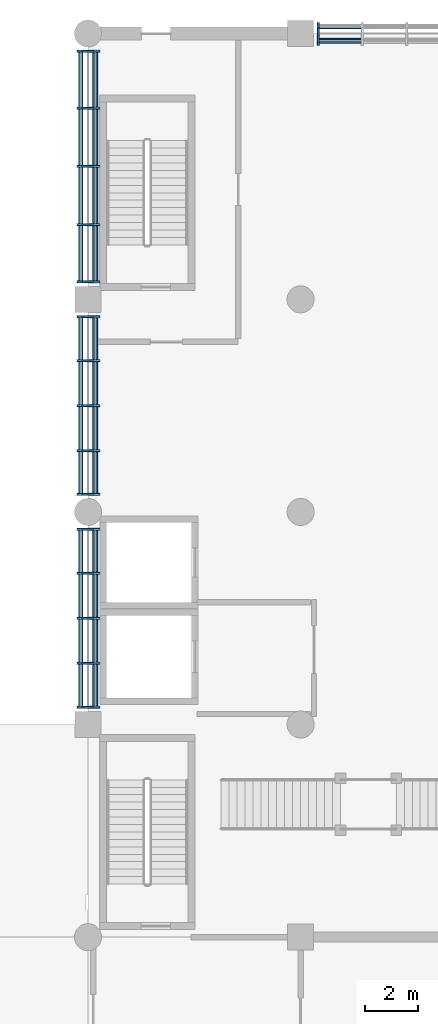
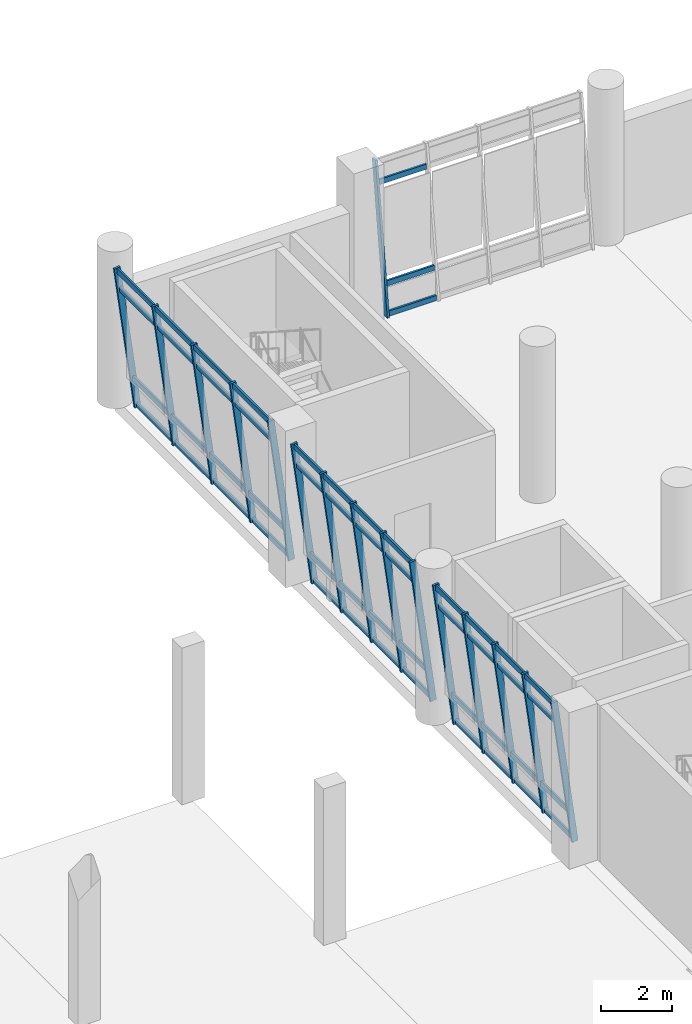
# One storey, part 10 of 42: 67 members, 4 elements without a shape of their own.
"""IFC4 building model written with IfcOpenShell, lengths in metres."""

from ifc_helpers import new_model, si_unit, direction, frame, origin, origin_2d, place, context, subcontext, project, spatial, rectangle, extrude, material, material_profile, profile_set, type_object, element, aggregate, save


model = new_model("IFC4")

# Units and contexts
model_context = context("Model", 3, precision=1e-05, world=origin(), true_north=direction((0.0, 1.0)))
body_context = subcontext(model_context, "Body", "Model", "MODEL_VIEW")
ifc_project = project(units=[si_unit("LENGTHUNIT", "METRE"), si_unit("AREAUNIT", "SQUARE_METRE"), si_unit("VOLUMEUNIT", "CUBIC_METRE"), si_unit("PLANEANGLEUNIT", "RADIAN"), si_unit("MASSUNIT", "GRAM", prefix="KILO")], contexts=[model_context])

# Site, building, storey
site_placement = place(None, origin())
site = spatial("IfcSite", under=ifc_project, at=site_placement, CompositionType="ELEMENT")
building_placement = place(site_placement, origin())
building = spatial("IfcBuilding", under=site, at=building_placement, Name="Pecanmere Concourse Central Library", CompositionType="ELEMENT")
storey_placement = place(building_placement, origin())
storey = spatial("IfcBuildingStorey", under=building, at=storey_placement, Name="L01", CompositionType="ELEMENT", Elevation=0.0)

# Curtain wall, member
ifc_material_1 = material(Name="Anodized bronze aluminium alloy 6063-T6", Category="aluminium")
curtain_wall_type = type_object("IfcCurtainWallType", Name="CW_LEAN_BANDED", PredefinedType="USERDEFINED", material=ifc_material_1)
curtain_wall_1_placement = place(storey_placement, origin())
curtain_wall_1 = element("IfcCurtainWall", 1, at=curtain_wall_1_placement, inside=storey, type_object=curtain_wall_type, Name="Unitised Curtain Wall CW-01 L01-001", ObjectType="UNITISED CURTAIN WALL", PredefinedType="USERDEFINED")
ifc_material_2 = material(Name="Anodized bronze aluminium alloy 6063-T6", Category="aluminium")
ifc_material_profile_1 = material_profile(ifc_material_2, rectangle(XDim=0.074951171875, YDim=0.199951171875, at=origin_2d()), Name="AL 75x200")
ifc_profile_set_1 = profile_set([ifc_material_profile_1], Name="Anodized bronze aluminium alloy 6063-T6")
member_type_1 = type_object("IfcMemberType", Name="CWM_200x75", PredefinedType="MULLION", material=ifc_profile_set_1)
member_1_placement = place(storey_placement, frame((80.657470703125, 123.64990234375, 0.0), z_axis=(0.0, 0.132255108017, 0.991215711338), x_axis=(-1.0, 0.0, 0.0)))
member_1 = element("IfcMember", 2, at=member_1_placement, type_object=member_type_1, Name="CW-01 Mullion 5", PredefinedType="MULLION", context=body_context, shape_type="SweptSolid", body=[
    extrude(rectangle(XDim=0.074951171875, YDim=0.199951171875, at=origin_2d()), origin(), (0.0, 0.0, 1.0), 5.07470703125),
])

# Curtain wall, members
curtain_wall_2_placement = place(storey_placement, origin())
curtain_wall_2 = element("IfcCurtainWall", 3, at=curtain_wall_2_placement, inside=storey, type_object=curtain_wall_type, Name="Unitised Curtain Wall CW-01 L01-005", ObjectType="UNITISED CURTAIN WALL", PredefinedType="USERDEFINED")
member_2_placement = place(storey_placement, frame((72.35009765625, 123.342529296875, 0.0), z_axis=(-0.132255108017, 0.0, 0.991215711338), x_axis=(0.0, -1.0, 0.0)))
member_2 = element("IfcMember", 4, at=member_2_placement, type_object=member_type_1, Name="CW-01 Mullion 1", PredefinedType="MULLION", context=body_context, shape_type="SweptSolid", body=[
    extrude(rectangle(XDim=0.074951171875, YDim=0.199951171875, at=origin_2d()), origin(), (0.0, 0.0, 1.0), 5.07470703125),
])
member_3_placement = place(storey_placement, frame((72.35009765625, 121.18994140625, 0.0), z_axis=(-0.132255108017, 0.0, 0.991215711338), x_axis=(0.0, -1.0, 0.0)))
member_3 = element("IfcMember", 5, at=member_3_placement, type_object=member_type_1, Name="CW-01 Mullion 2", PredefinedType="MULLION", context=body_context, shape_type="SweptSolid", body=[
    extrude(rectangle(XDim=0.074951171875, YDim=0.199951171875, at=origin_2d()), origin(), (0.0, 0.0, 1.0), 5.07470703125),
])
member_4_placement = place(storey_placement, frame((72.35009765625, 119.0, 0.0), z_axis=(-0.132255108017, 0.0, 0.991215711338), x_axis=(0.0, -1.0, 0.0)))
member_4 = element("IfcMember", 6, at=member_4_placement, type_object=member_type_1, Name="CW-01 Mullion 3", PredefinedType="MULLION", context=body_context, shape_type="SweptSolid", body=[
    extrude(rectangle(XDim=0.074951171875, YDim=0.199951171875, at=origin_2d()), origin(), (0.0, 0.0, 1.0), 5.07470703125),
])
member_5_placement = place(storey_placement, frame((72.35009765625, 116.81005859375, 0.0), z_axis=(-0.132255108017, 0.0, 0.991215711338), x_axis=(0.0, -1.0, 0.0)))
member_5 = element("IfcMember", 7, at=member_5_placement, type_object=member_type_1, Name="CW-01 Mullion 4", PredefinedType="MULLION", context=body_context, shape_type="SweptSolid", body=[
    extrude(rectangle(XDim=0.074951171875, YDim=0.199951171875, at=origin_2d()), origin(), (0.0, 0.0, 1.0), 5.07470703125),
])
member_6_placement = place(storey_placement, frame((72.35009765625, 114.657470703125, 0.0), z_axis=(-0.132255108017, 0.0, 0.991215711338), x_axis=(0.0, -1.0, 0.0)))
member_6 = element("IfcMember", 8, at=member_6_placement, type_object=member_type_1, Name="CW-01 Mullion 5", PredefinedType="MULLION", context=body_context, shape_type="SweptSolid", body=[
    extrude(rectangle(XDim=0.074951171875, YDim=0.199951171875, at=origin_2d()), origin(), (0.0, 0.0, 1.0), 5.07470703125),
])

curtain_wall_3_placement = place(storey_placement, origin())
curtain_wall_3 = element("IfcCurtainWall", 9, at=curtain_wall_3_placement, inside=storey, type_object=curtain_wall_type, Name="Unitised Curtain Wall CW-01 L01-006", ObjectType="UNITISED CURTAIN WALL", PredefinedType="USERDEFINED")
member_7_placement = place(storey_placement, frame((72.35009765625, 113.342529296875, 0.0), z_axis=(-0.132255108017, 0.0, 0.991215711338), x_axis=(0.0, -1.0, 0.0)))
member_7 = element("IfcMember", 10, at=member_7_placement, type_object=member_type_1, Name="CW-01 Mullion 1", PredefinedType="MULLION", context=body_context, shape_type="SweptSolid", body=[
    extrude(rectangle(XDim=0.074951171875, YDim=0.199951171875, at=origin_2d()), origin(), (0.0, 0.0, 1.0), 5.07470703125),
])
member_8_placement = place(storey_placement, frame((72.35009765625, 111.68994140625, 0.0), z_axis=(-0.132255108017, 0.0, 0.991215711338), x_axis=(0.0, -1.0, 0.0)))
member_8 = element("IfcMember", 11, at=member_8_placement, type_object=member_type_1, Name="CW-01 Mullion 2", PredefinedType="MULLION", context=body_context, shape_type="SweptSolid", body=[
    extrude(rectangle(XDim=0.074951171875, YDim=0.199951171875, at=origin_2d()), origin(), (0.0, 0.0, 1.0), 5.07470703125),
])
member_9_placement = place(storey_placement, frame((72.35009765625, 110.0, 0.0), z_axis=(-0.132255108017, 0.0, 0.991215711338), x_axis=(0.0, -1.0, 0.0)))
member_9 = element("IfcMember", 12, at=member_9_placement, type_object=member_type_1, Name="CW-01 Mullion 3", PredefinedType="MULLION", context=body_context, shape_type="SweptSolid", body=[
    extrude(rectangle(XDim=0.074951171875, YDim=0.199951171875, at=origin_2d()), origin(), (0.0, 0.0, 1.0), 5.07470703125),
])
member_10_placement = place(storey_placement, frame((72.35009765625, 108.31005859375, 0.0), z_axis=(-0.132255108017, 0.0, 0.991215711338), x_axis=(0.0, -1.0, 0.0)))
member_10 = element("IfcMember", 13, at=member_10_placement, type_object=member_type_1, Name="CW-01 Mullion 4", PredefinedType="MULLION", context=body_context, shape_type="SweptSolid", body=[
    extrude(rectangle(XDim=0.074951171875, YDim=0.199951171875, at=origin_2d()), origin(), (0.0, 0.0, 1.0), 5.07470703125),
])
member_11_placement = place(storey_placement, frame((72.35009765625, 106.657470703125, 0.0), z_axis=(-0.132255108017, 0.0, 0.991215711338), x_axis=(0.0, -1.0, 0.0)))
member_11 = element("IfcMember", 14, at=member_11_placement, type_object=member_type_1, Name="CW-01 Mullion 5", PredefinedType="MULLION", context=body_context, shape_type="SweptSolid", body=[
    extrude(rectangle(XDim=0.074951171875, YDim=0.199951171875, at=origin_2d()), origin(), (0.0, 0.0, 1.0), 5.07470703125),
])

curtain_wall_4_placement = place(storey_placement, origin())
curtain_wall_4 = element("IfcCurtainWall", 15, at=curtain_wall_4_placement, inside=storey, type_object=curtain_wall_type, Name="Unitised Curtain Wall CW-01 L01-007", ObjectType="UNITISED CURTAIN WALL", PredefinedType="USERDEFINED")
member_12_placement = place(storey_placement, frame((72.35009765625, 105.342529296875, 0.0), z_axis=(-0.132255108017, 0.0, 0.991215711338), x_axis=(0.0, -1.0, 0.0)))
member_12 = element("IfcMember", 16, at=member_12_placement, type_object=member_type_1, Name="CW-01 Mullion 1", PredefinedType="MULLION", context=body_context, shape_type="SweptSolid", body=[
    extrude(rectangle(XDim=0.074951171875, YDim=0.199951171875, at=origin_2d()), origin(), (0.0, 0.0, 1.0), 5.07470703125),
])
member_13_placement = place(storey_placement, frame((72.35009765625, 103.68994140625, 0.0), z_axis=(-0.132255108017, 0.0, 0.991215711338), x_axis=(0.0, -1.0, 0.0)))
member_13 = element("IfcMember", 17, at=member_13_placement, type_object=member_type_1, Name="CW-01 Mullion 2", PredefinedType="MULLION", context=body_context, shape_type="SweptSolid", body=[
    extrude(rectangle(XDim=0.074951171875, YDim=0.199951171875, at=origin_2d()), origin(), (0.0, 0.0, 1.0), 5.07470703125),
])
member_14_placement = place(storey_placement, frame((72.35009765625, 102.0, 0.0), z_axis=(-0.132255108017, 0.0, 0.991215711338), x_axis=(0.0, -1.0, 0.0)))
member_14 = element("IfcMember", 18, at=member_14_placement, type_object=member_type_1, Name="CW-01 Mullion 3", PredefinedType="MULLION", context=body_context, shape_type="SweptSolid", body=[
    extrude(rectangle(XDim=0.074951171875, YDim=0.199951171875, at=origin_2d()), origin(), (0.0, 0.0, 1.0), 5.07470703125),
])
member_15_placement = place(storey_placement, frame((72.35009765625, 100.31005859375, 0.0), z_axis=(-0.132255108017, 0.0, 0.991215711338), x_axis=(0.0, -1.0, 0.0)))
member_15 = element("IfcMember", 19, at=member_15_placement, type_object=member_type_1, Name="CW-01 Mullion 4", PredefinedType="MULLION", context=body_context, shape_type="SweptSolid", body=[
    extrude(rectangle(XDim=0.074951171875, YDim=0.199951171875, at=origin_2d()), origin(), (0.0, 0.0, 1.0), 5.07470703125),
])
member_16_placement = place(storey_placement, frame((72.35009765625, 98.657470703125, 0.0), z_axis=(-0.132255108017, 0.0, 0.991215711338), x_axis=(0.0, -1.0, 0.0)))
member_16 = element("IfcMember", 20, at=member_16_placement, type_object=member_type_1, Name="CW-01 Mullion 5", PredefinedType="MULLION", context=body_context, shape_type="SweptSolid", body=[
    extrude(rectangle(XDim=0.074951171875, YDim=0.199951171875, at=origin_2d()), origin(), (0.0, 0.0, 1.0), 5.07470703125),
])

# Member
ifc_material_3 = material(Name="Anodized bronze aluminium alloy 6063-T6", Category="aluminium")
ifc_material_profile_2 = material_profile(ifc_material_3, rectangle(XDim=0.06494140625, YDim=0.179931640625, at=origin_2d()), Name="AL 65x180")
ifc_profile_set_2 = profile_set([ifc_material_profile_2], Name="Anodized bronze aluminium alloy 6063-T6")
member_type_2 = type_object("IfcMemberType", Name="CWT_180x65", PredefinedType="USERDEFINED", material=ifc_profile_set_2)
member_17_placement = place(storey_placement, frame((82.2724609375, 123.662109375, 0.090087890625), z_axis=(-1.0, 0.0, 0.0), x_axis=(0.0, -1.0, 0.0)))
member_17 = element("IfcMember", 21, at=member_17_placement, type_object=member_type_2, Name="CW-01 Transom 4.1", ObjectType="TRANSOM", PredefinedType="USERDEFINED", context=body_context, shape_type="SweptSolid", body=[
    extrude(rectangle(XDim=0.06494140625, YDim=0.179931640625, at=origin_2d()), origin(), (0.0, 0.0, 1.0), 1.577392578125),
])

member_18_placement = place(storey_placement, frame((82.2724609375, 123.7900390625, 1.050048828125), z_axis=(-1.0, 0.0, 0.0), x_axis=(0.0, -1.0, 0.0)))
member_18 = element("IfcMember", 22, at=member_18_placement, type_object=member_type_2, Name="CW-01 Transom 4.2", ObjectType="TRANSOM", PredefinedType="USERDEFINED", context=body_context, shape_type="SweptSolid", body=[
    extrude(rectangle(XDim=0.06494140625, YDim=0.179931640625, at=origin_2d()), origin(), (0.0, 0.0, 1.0), 1.577392578125),
])

member_19_placement = place(storey_placement, frame((82.2724609375, 124.22119140625, 4.280029296875), z_axis=(-1.0, 0.0, 0.0), x_axis=(0.0, -1.0, 0.0)))
member_19 = element("IfcMember", 23, at=member_19_placement, type_object=member_type_2, Name="CW-01 Transom 4.3", ObjectType="TRANSOM", PredefinedType="USERDEFINED", context=body_context, shape_type="SweptSolid", body=[
    extrude(rectangle(XDim=0.06494140625, YDim=0.179931640625, at=origin_2d()), origin(), (0.0, 0.0, 1.0), 1.577392578125),
])

aggregate(curtain_wall_1, [member_1, member_17, member_18, member_19])

member_20_placement = place(storey_placement, frame((72.337890625, 123.304931640625, 0.090087890625), z_axis=(0.0, -1.0, 0.0), x_axis=(1.0, 0.0, 0.0)))
member_20 = element("IfcMember", 24, at=member_20_placement, type_object=member_type_2, Name="CW-01 Transom 1.1", ObjectType="TRANSOM", PredefinedType="USERDEFINED", context=body_context, shape_type="SweptSolid", body=[
    extrude(rectangle(XDim=0.06494140625, YDim=0.179931640625, at=origin_2d()), origin(), (0.0, 0.0, 1.0), 2.077392578125),
])

member_21_placement = place(storey_placement, frame((72.2099609375, 123.304931640625, 1.050048828125), z_axis=(0.0, -1.0, 0.0), x_axis=(1.0, 0.0, 0.0)))
member_21 = element("IfcMember", 25, at=member_21_placement, type_object=member_type_2, Name="CW-01 Transom 1.2", ObjectType="TRANSOM", PredefinedType="USERDEFINED", context=body_context, shape_type="SweptSolid", body=[
    extrude(rectangle(XDim=0.06494140625, YDim=0.179931640625, at=origin_2d()), origin(), (0.0, 0.0, 1.0), 2.077392578125),
])

member_22_placement = place(storey_placement, frame((71.77880859375, 123.304931640625, 4.280029296875), z_axis=(0.0, -1.0, 0.0), x_axis=(1.0, 0.0, 0.0)))
member_22 = element("IfcMember", 26, at=member_22_placement, type_object=member_type_2, Name="CW-01 Transom 1.3", ObjectType="TRANSOM", PredefinedType="USERDEFINED", context=body_context, shape_type="SweptSolid", body=[
    extrude(rectangle(XDim=0.06494140625, YDim=0.179931640625, at=origin_2d()), origin(), (0.0, 0.0, 1.0), 2.077392578125),
])

member_23_placement = place(storey_placement, frame((71.69091796875, 123.304931640625, 4.93994140625), z_axis=(0.0, -1.0, 0.0), x_axis=(1.0, 0.0, 0.0)))
member_23 = element("IfcMember", 27, at=member_23_placement, type_object=member_type_2, Name="CW-01 Transom 1.4", ObjectType="TRANSOM", PredefinedType="USERDEFINED", context=body_context, shape_type="SweptSolid", body=[
    extrude(rectangle(XDim=0.06494140625, YDim=0.179931640625, at=origin_2d()), origin(), (0.0, 0.0, 1.0), 2.077392578125),
])

member_24_placement = place(storey_placement, frame((72.337890625, 121.152587890625, 0.090087890625), z_axis=(0.0, -1.0, 0.0), x_axis=(1.0, 0.0, 0.0)))
member_24 = element("IfcMember", 28, at=member_24_placement, type_object=member_type_2, Name="CW-01 Transom 2.1", ObjectType="TRANSOM", PredefinedType="USERDEFINED", context=body_context, shape_type="SweptSolid", body=[
    extrude(rectangle(XDim=0.06494140625, YDim=0.179931640625, at=origin_2d()), origin(), (0.0, 0.0, 1.0), 2.114990234375),
])

member_25_placement = place(storey_placement, frame((72.2099609375, 121.152587890625, 1.050048828125), z_axis=(0.0, -1.0, 0.0), x_axis=(1.0, 0.0, 0.0)))
member_25 = element("IfcMember", 29, at=member_25_placement, type_object=member_type_2, Name="CW-01 Transom 2.2", ObjectType="TRANSOM", PredefinedType="USERDEFINED", context=body_context, shape_type="SweptSolid", body=[
    extrude(rectangle(XDim=0.06494140625, YDim=0.179931640625, at=origin_2d()), origin(), (0.0, 0.0, 1.0), 2.114990234375),
])

member_26_placement = place(storey_placement, frame((71.77880859375, 121.152587890625, 4.280029296875), z_axis=(0.0, -1.0, 0.0), x_axis=(1.0, 0.0, 0.0)))
member_26 = element("IfcMember", 30, at=member_26_placement, type_object=member_type_2, Name="CW-01 Transom 2.3", ObjectType="TRANSOM", PredefinedType="USERDEFINED", context=body_context, shape_type="SweptSolid", body=[
    extrude(rectangle(XDim=0.06494140625, YDim=0.179931640625, at=origin_2d()), origin(), (0.0, 0.0, 1.0), 2.114990234375),
])

member_27_placement = place(storey_placement, frame((71.69091796875, 121.152587890625, 4.93994140625), z_axis=(0.0, -1.0, 0.0), x_axis=(1.0, 0.0, 0.0)))
member_27 = element("IfcMember", 31, at=member_27_placement, type_object=member_type_2, Name="CW-01 Transom 2.4", ObjectType="TRANSOM", PredefinedType="USERDEFINED", context=body_context, shape_type="SweptSolid", body=[
    extrude(rectangle(XDim=0.06494140625, YDim=0.179931640625, at=origin_2d()), origin(), (0.0, 0.0, 1.0), 2.114990234375),
])

member_28_placement = place(storey_placement, frame((72.337890625, 118.96240234375, 0.090087890625), z_axis=(0.0, -1.0, 0.0), x_axis=(1.0, 0.0, 0.0)))
member_28 = element("IfcMember", 32, at=member_28_placement, type_object=member_type_2, Name="CW-01 Transom 3.1", ObjectType="TRANSOM", PredefinedType="USERDEFINED", context=body_context, shape_type="SweptSolid", body=[
    extrude(rectangle(XDim=0.06494140625, YDim=0.179931640625, at=origin_2d()), origin(), (0.0, 0.0, 1.0), 2.114990234375),
])

member_29_placement = place(storey_placement, frame((72.2099609375, 118.96240234375, 1.050048828125), z_axis=(0.0, -1.0, 0.0), x_axis=(1.0, 0.0, 0.0)))
member_29 = element("IfcMember", 33, at=member_29_placement, type_object=member_type_2, Name="CW-01 Transom 3.2", ObjectType="TRANSOM", PredefinedType="USERDEFINED", context=body_context, shape_type="SweptSolid", body=[
    extrude(rectangle(XDim=0.06494140625, YDim=0.179931640625, at=origin_2d()), origin(), (0.0, 0.0, 1.0), 2.114990234375),
])

member_30_placement = place(storey_placement, frame((71.77880859375, 118.96240234375, 4.280029296875), z_axis=(0.0, -1.0, 0.0), x_axis=(1.0, 0.0, 0.0)))
member_30 = element("IfcMember", 34, at=member_30_placement, type_object=member_type_2, Name="CW-01 Transom 3.3", ObjectType="TRANSOM", PredefinedType="USERDEFINED", context=body_context, shape_type="SweptSolid", body=[
    extrude(rectangle(XDim=0.06494140625, YDim=0.179931640625, at=origin_2d()), origin(), (0.0, 0.0, 1.0), 2.114990234375),
])

member_31_placement = place(storey_placement, frame((71.69091796875, 118.96240234375, 4.93994140625), z_axis=(0.0, -1.0, 0.0), x_axis=(1.0, 0.0, 0.0)))
member_31 = element("IfcMember", 35, at=member_31_placement, type_object=member_type_2, Name="CW-01 Transom 3.4", ObjectType="TRANSOM", PredefinedType="USERDEFINED", context=body_context, shape_type="SweptSolid", body=[
    extrude(rectangle(XDim=0.06494140625, YDim=0.179931640625, at=origin_2d()), origin(), (0.0, 0.0, 1.0), 2.114990234375),
])

member_32_placement = place(storey_placement, frame((72.337890625, 116.7724609375, 0.090087890625), z_axis=(0.0, -1.0, 0.0), x_axis=(1.0, 0.0, 0.0)))
member_32 = element("IfcMember", 36, at=member_32_placement, type_object=member_type_2, Name="CW-01 Transom 4.1", ObjectType="TRANSOM", PredefinedType="USERDEFINED", context=body_context, shape_type="SweptSolid", body=[
    extrude(rectangle(XDim=0.06494140625, YDim=0.179931640625, at=origin_2d()), origin(), (0.0, 0.0, 1.0), 2.077392578125),
])

member_33_placement = place(storey_placement, frame((72.2099609375, 116.7724609375, 1.050048828125), z_axis=(0.0, -1.0, 0.0), x_axis=(1.0, 0.0, 0.0)))
member_33 = element("IfcMember", 37, at=member_33_placement, type_object=member_type_2, Name="CW-01 Transom 4.2", ObjectType="TRANSOM", PredefinedType="USERDEFINED", context=body_context, shape_type="SweptSolid", body=[
    extrude(rectangle(XDim=0.06494140625, YDim=0.179931640625, at=origin_2d()), origin(), (0.0, 0.0, 1.0), 2.077392578125),
])

member_34_placement = place(storey_placement, frame((71.77880859375, 116.7724609375, 4.280029296875), z_axis=(0.0, -1.0, 0.0), x_axis=(1.0, 0.0, 0.0)))
member_34 = element("IfcMember", 38, at=member_34_placement, type_object=member_type_2, Name="CW-01 Transom 4.3", ObjectType="TRANSOM", PredefinedType="USERDEFINED", context=body_context, shape_type="SweptSolid", body=[
    extrude(rectangle(XDim=0.06494140625, YDim=0.179931640625, at=origin_2d()), origin(), (0.0, 0.0, 1.0), 2.077392578125),
])

member_35_placement = place(storey_placement, frame((71.69091796875, 116.7724609375, 4.93994140625), z_axis=(0.0, -1.0, 0.0), x_axis=(1.0, 0.0, 0.0)))
member_35 = element("IfcMember", 39, at=member_35_placement, type_object=member_type_2, Name="CW-01 Transom 4.4", ObjectType="TRANSOM", PredefinedType="USERDEFINED", context=body_context, shape_type="SweptSolid", body=[
    extrude(rectangle(XDim=0.06494140625, YDim=0.179931640625, at=origin_2d()), origin(), (0.0, 0.0, 1.0), 2.077392578125),
])

aggregate(curtain_wall_2, [member_2, member_3, member_4, member_5, member_6, member_20, member_21, member_22, member_23, member_24, member_25, member_26, member_27, member_28, member_29, member_30, member_31, member_32, member_33, member_34, member_35])

member_36_placement = place(storey_placement, frame((72.337890625, 113.304931640625, 0.090087890625), z_axis=(0.0, -1.0, 0.0), x_axis=(1.0, 0.0, 0.0)))
member_36 = element("IfcMember", 40, at=member_36_placement, type_object=member_type_2, Name="CW-01 Transom 1.1", ObjectType="TRANSOM", PredefinedType="USERDEFINED", context=body_context, shape_type="SweptSolid", body=[
    extrude(rectangle(XDim=0.06494140625, YDim=0.179931640625, at=origin_2d()), origin(), (0.0, 0.0, 1.0), 1.577392578125),
])

member_37_placement = place(storey_placement, frame((72.2099609375, 113.304931640625, 1.050048828125), z_axis=(0.0, -1.0, 0.0), x_axis=(1.0, 0.0, 0.0)))
member_37 = element("IfcMember", 41, at=member_37_placement, type_object=member_type_2, Name="CW-01 Transom 1.2", ObjectType="TRANSOM", PredefinedType="USERDEFINED", context=body_context, shape_type="SweptSolid", body=[
    extrude(rectangle(XDim=0.06494140625, YDim=0.179931640625, at=origin_2d()), origin(), (0.0, 0.0, 1.0), 1.577392578125),
])

member_38_placement = place(storey_placement, frame((71.77880859375, 113.304931640625, 4.280029296875), z_axis=(0.0, -1.0, 0.0), x_axis=(1.0, 0.0, 0.0)))
member_38 = element("IfcMember", 42, at=member_38_placement, type_object=member_type_2, Name="CW-01 Transom 1.3", ObjectType="TRANSOM", PredefinedType="USERDEFINED", context=body_context, shape_type="SweptSolid", body=[
    extrude(rectangle(XDim=0.06494140625, YDim=0.179931640625, at=origin_2d()), origin(), (0.0, 0.0, 1.0), 1.577392578125),
])

member_39_placement = place(storey_placement, frame((71.69091796875, 113.304931640625, 4.93994140625), z_axis=(0.0, -1.0, 0.0), x_axis=(1.0, 0.0, 0.0)))
member_39 = element("IfcMember", 43, at=member_39_placement, type_object=member_type_2, Name="CW-01 Transom 1.4", ObjectType="TRANSOM", PredefinedType="USERDEFINED", context=body_context, shape_type="SweptSolid", body=[
    extrude(rectangle(XDim=0.06494140625, YDim=0.179931640625, at=origin_2d()), origin(), (0.0, 0.0, 1.0), 1.577392578125),
])

member_40_placement = place(storey_placement, frame((72.337890625, 111.652587890625, 0.090087890625), z_axis=(0.0, -1.0, 0.0), x_axis=(1.0, 0.0, 0.0)))
member_40 = element("IfcMember", 44, at=member_40_placement, type_object=member_type_2, Name="CW-01 Transom 2.1", ObjectType="TRANSOM", PredefinedType="USERDEFINED", context=body_context, shape_type="SweptSolid", body=[
    extrude(rectangle(XDim=0.06494140625, YDim=0.179931640625, at=origin_2d()), origin(), (0.0, 0.0, 1.0), 1.614990234375),
])

member_41_placement = place(storey_placement, frame((72.2099609375, 111.652587890625, 1.050048828125), z_axis=(0.0, -1.0, 0.0), x_axis=(1.0, 0.0, 0.0)))
member_41 = element("IfcMember", 45, at=member_41_placement, type_object=member_type_2, Name="CW-01 Transom 2.2", ObjectType="TRANSOM", PredefinedType="USERDEFINED", context=body_context, shape_type="SweptSolid", body=[
    extrude(rectangle(XDim=0.06494140625, YDim=0.179931640625, at=origin_2d()), origin(), (0.0, 0.0, 1.0), 1.614990234375),
])

member_42_placement = place(storey_placement, frame((71.77880859375, 111.652587890625, 4.280029296875), z_axis=(0.0, -1.0, 0.0), x_axis=(1.0, 0.0, 0.0)))
member_42 = element("IfcMember", 46, at=member_42_placement, type_object=member_type_2, Name="CW-01 Transom 2.3", ObjectType="TRANSOM", PredefinedType="USERDEFINED", context=body_context, shape_type="SweptSolid", body=[
    extrude(rectangle(XDim=0.06494140625, YDim=0.179931640625, at=origin_2d()), origin(), (0.0, 0.0, 1.0), 1.614990234375),
])

member_43_placement = place(storey_placement, frame((71.69091796875, 111.652587890625, 4.93994140625), z_axis=(0.0, -1.0, 0.0), x_axis=(1.0, 0.0, 0.0)))
member_43 = element("IfcMember", 47, at=member_43_placement, type_object=member_type_2, Name="CW-01 Transom 2.4", ObjectType="TRANSOM", PredefinedType="USERDEFINED", context=body_context, shape_type="SweptSolid", body=[
    extrude(rectangle(XDim=0.06494140625, YDim=0.179931640625, at=origin_2d()), origin(), (0.0, 0.0, 1.0), 1.614990234375),
])

member_44_placement = place(storey_placement, frame((72.337890625, 109.96240234375, 0.090087890625), z_axis=(0.0, -1.0, 0.0), x_axis=(1.0, 0.0, 0.0)))
member_44 = element("IfcMember", 48, at=member_44_placement, type_object=member_type_2, Name="CW-01 Transom 3.1", ObjectType="TRANSOM", PredefinedType="USERDEFINED", context=body_context, shape_type="SweptSolid", body=[
    extrude(rectangle(XDim=0.06494140625, YDim=0.179931640625, at=origin_2d()), origin(), (0.0, 0.0, 1.0), 1.614990234375),
])

member_45_placement = place(storey_placement, frame((72.2099609375, 109.96240234375, 1.050048828125), z_axis=(0.0, -1.0, 0.0), x_axis=(1.0, 0.0, 0.0)))
member_45 = element("IfcMember", 49, at=member_45_placement, type_object=member_type_2, Name="CW-01 Transom 3.2", ObjectType="TRANSOM", PredefinedType="USERDEFINED", context=body_context, shape_type="SweptSolid", body=[
    extrude(rectangle(XDim=0.06494140625, YDim=0.179931640625, at=origin_2d()), origin(), (0.0, 0.0, 1.0), 1.614990234375),
])

member_46_placement = place(storey_placement, frame((71.77880859375, 109.96240234375, 4.280029296875), z_axis=(0.0, -1.0, 0.0), x_axis=(1.0, 0.0, 0.0)))
member_46 = element("IfcMember", 50, at=member_46_placement, type_object=member_type_2, Name="CW-01 Transom 3.3", ObjectType="TRANSOM", PredefinedType="USERDEFINED", context=body_context, shape_type="SweptSolid", body=[
    extrude(rectangle(XDim=0.06494140625, YDim=0.179931640625, at=origin_2d()), origin(), (0.0, 0.0, 1.0), 1.614990234375),
])

member_47_placement = place(storey_placement, frame((71.69091796875, 109.96240234375, 4.93994140625), z_axis=(0.0, -1.0, 0.0), x_axis=(1.0, 0.0, 0.0)))
member_47 = element("IfcMember", 51, at=member_47_placement, type_object=member_type_2, Name="CW-01 Transom 3.4", ObjectType="TRANSOM", PredefinedType="USERDEFINED", context=body_context, shape_type="SweptSolid", body=[
    extrude(rectangle(XDim=0.06494140625, YDim=0.179931640625, at=origin_2d()), origin(), (0.0, 0.0, 1.0), 1.614990234375),
])

member_48_placement = place(storey_placement, frame((72.337890625, 108.2724609375, 0.090087890625), z_axis=(0.0, -1.0, 0.0), x_axis=(1.0, 0.0, 0.0)))
member_48 = element("IfcMember", 52, at=member_48_placement, type_object=member_type_2, Name="CW-01 Transom 4.1", ObjectType="TRANSOM", PredefinedType="USERDEFINED", context=body_context, shape_type="SweptSolid", body=[
    extrude(rectangle(XDim=0.06494140625, YDim=0.179931640625, at=origin_2d()), origin(), (0.0, 0.0, 1.0), 1.577392578125),
])

member_49_placement = place(storey_placement, frame((72.2099609375, 108.2724609375, 1.050048828125), z_axis=(0.0, -1.0, 0.0), x_axis=(1.0, 0.0, 0.0)))
member_49 = element("IfcMember", 53, at=member_49_placement, type_object=member_type_2, Name="CW-01 Transom 4.2", ObjectType="TRANSOM", PredefinedType="USERDEFINED", context=body_context, shape_type="SweptSolid", body=[
    extrude(rectangle(XDim=0.06494140625, YDim=0.179931640625, at=origin_2d()), origin(), (0.0, 0.0, 1.0), 1.577392578125),
])

member_50_placement = place(storey_placement, frame((71.77880859375, 108.2724609375, 4.280029296875), z_axis=(0.0, -1.0, 0.0), x_axis=(1.0, 0.0, 0.0)))
member_50 = element("IfcMember", 54, at=member_50_placement, type_object=member_type_2, Name="CW-01 Transom 4.3", ObjectType="TRANSOM", PredefinedType="USERDEFINED", context=body_context, shape_type="SweptSolid", body=[
    extrude(rectangle(XDim=0.06494140625, YDim=0.179931640625, at=origin_2d()), origin(), (0.0, 0.0, 1.0), 1.577392578125),
])

member_51_placement = place(storey_placement, frame((71.69091796875, 108.2724609375, 4.93994140625), z_axis=(0.0, -1.0, 0.0), x_axis=(1.0, 0.0, 0.0)))
member_51 = element("IfcMember", 55, at=member_51_placement, type_object=member_type_2, Name="CW-01 Transom 4.4", ObjectType="TRANSOM", PredefinedType="USERDEFINED", context=body_context, shape_type="SweptSolid", body=[
    extrude(rectangle(XDim=0.06494140625, YDim=0.179931640625, at=origin_2d()), origin(), (0.0, 0.0, 1.0), 1.577392578125),
])

aggregate(curtain_wall_3, [member_7, member_8, member_9, member_10, member_11, member_36, member_37, member_38, member_39, member_40, member_41, member_42, member_43, member_44, member_45, member_46, member_47, member_48, member_49, member_50, member_51])

member_52_placement = place(storey_placement, frame((72.337890625, 105.304931640625, 0.090087890625), z_axis=(0.0, -1.0, 0.0), x_axis=(1.0, 0.0, 0.0)))
member_52 = element("IfcMember", 56, at=member_52_placement, type_object=member_type_2, Name="CW-01 Transom 1.1", ObjectType="TRANSOM", PredefinedType="USERDEFINED", context=body_context, shape_type="SweptSolid", body=[
    extrude(rectangle(XDim=0.06494140625, YDim=0.179931640625, at=origin_2d()), origin(), (0.0, 0.0, 1.0), 1.577392578125),
])

member_53_placement = place(storey_placement, frame((72.2099609375, 105.304931640625, 1.050048828125), z_axis=(0.0, -1.0, 0.0), x_axis=(1.0, 0.0, 0.0)))
member_53 = element("IfcMember", 57, at=member_53_placement, type_object=member_type_2, Name="CW-01 Transom 1.2", ObjectType="TRANSOM", PredefinedType="USERDEFINED", context=body_context, shape_type="SweptSolid", body=[
    extrude(rectangle(XDim=0.06494140625, YDim=0.179931640625, at=origin_2d()), origin(), (0.0, 0.0, 1.0), 1.577392578125),
])

member_54_placement = place(storey_placement, frame((71.77880859375, 105.304931640625, 4.280029296875), z_axis=(0.0, -1.0, 0.0), x_axis=(1.0, 0.0, 0.0)))
member_54 = element("IfcMember", 58, at=member_54_placement, type_object=member_type_2, Name="CW-01 Transom 1.3", ObjectType="TRANSOM", PredefinedType="USERDEFINED", context=body_context, shape_type="SweptSolid", body=[
    extrude(rectangle(XDim=0.06494140625, YDim=0.179931640625, at=origin_2d()), origin(), (0.0, 0.0, 1.0), 1.577392578125),
])

member_55_placement = place(storey_placement, frame((71.69091796875, 105.304931640625, 4.93994140625), z_axis=(0.0, -1.0, 0.0), x_axis=(1.0, 0.0, 0.0)))
member_55 = element("IfcMember", 59, at=member_55_placement, type_object=member_type_2, Name="CW-01 Transom 1.4", ObjectType="TRANSOM", PredefinedType="USERDEFINED", context=body_context, shape_type="SweptSolid", body=[
    extrude(rectangle(XDim=0.06494140625, YDim=0.179931640625, at=origin_2d()), origin(), (0.0, 0.0, 1.0), 1.577392578125),
])

member_56_placement = place(storey_placement, frame((72.337890625, 103.652587890625, 0.090087890625), z_axis=(0.0, -1.0, 0.0), x_axis=(1.0, 0.0, 0.0)))
member_56 = element("IfcMember", 60, at=member_56_placement, type_object=member_type_2, Name="CW-01 Transom 2.1", ObjectType="TRANSOM", PredefinedType="USERDEFINED", context=body_context, shape_type="SweptSolid", body=[
    extrude(rectangle(XDim=0.06494140625, YDim=0.179931640625, at=origin_2d()), origin(), (0.0, 0.0, 1.0), 1.614990234375),
])

member_57_placement = place(storey_placement, frame((72.2099609375, 103.652587890625, 1.050048828125), z_axis=(0.0, -1.0, 0.0), x_axis=(1.0, 0.0, 0.0)))
member_57 = element("IfcMember", 61, at=member_57_placement, type_object=member_type_2, Name="CW-01 Transom 2.2", ObjectType="TRANSOM", PredefinedType="USERDEFINED", context=body_context, shape_type="SweptSolid", body=[
    extrude(rectangle(XDim=0.06494140625, YDim=0.179931640625, at=origin_2d()), origin(), (0.0, 0.0, 1.0), 1.614990234375),
])

member_58_placement = place(storey_placement, frame((71.77880859375, 103.652587890625, 4.280029296875), z_axis=(0.0, -1.0, 0.0), x_axis=(1.0, 0.0, 0.0)))
member_58 = element("IfcMember", 62, at=member_58_placement, type_object=member_type_2, Name="CW-01 Transom 2.3", ObjectType="TRANSOM", PredefinedType="USERDEFINED", context=body_context, shape_type="SweptSolid", body=[
    extrude(rectangle(XDim=0.06494140625, YDim=0.179931640625, at=origin_2d()), origin(), (0.0, 0.0, 1.0), 1.614990234375),
])

member_59_placement = place(storey_placement, frame((71.69091796875, 103.652587890625, 4.93994140625), z_axis=(0.0, -1.0, 0.0), x_axis=(1.0, 0.0, 0.0)))
member_59 = element("IfcMember", 63, at=member_59_placement, type_object=member_type_2, Name="CW-01 Transom 2.4", ObjectType="TRANSOM", PredefinedType="USERDEFINED", context=body_context, shape_type="SweptSolid", body=[
    extrude(rectangle(XDim=0.06494140625, YDim=0.179931640625, at=origin_2d()), origin(), (0.0, 0.0, 1.0), 1.614990234375),
])

member_60_placement = place(storey_placement, frame((72.337890625, 101.96240234375, 0.090087890625), z_axis=(0.0, -1.0, 0.0), x_axis=(1.0, 0.0, 0.0)))
member_60 = element("IfcMember", 64, at=member_60_placement, type_object=member_type_2, Name="CW-01 Transom 3.1", ObjectType="TRANSOM", PredefinedType="USERDEFINED", context=body_context, shape_type="SweptSolid", body=[
    extrude(rectangle(XDim=0.06494140625, YDim=0.179931640625, at=origin_2d()), origin(), (0.0, 0.0, 1.0), 1.614990234375),
])

member_61_placement = place(storey_placement, frame((72.2099609375, 101.96240234375, 1.050048828125), z_axis=(0.0, -1.0, 0.0), x_axis=(1.0, 0.0, 0.0)))
member_61 = element("IfcMember", 65, at=member_61_placement, type_object=member_type_2, Name="CW-01 Transom 3.2", ObjectType="TRANSOM", PredefinedType="USERDEFINED", context=body_context, shape_type="SweptSolid", body=[
    extrude(rectangle(XDim=0.06494140625, YDim=0.179931640625, at=origin_2d()), origin(), (0.0, 0.0, 1.0), 1.614990234375),
])

member_62_placement = place(storey_placement, frame((71.77880859375, 101.96240234375, 4.280029296875), z_axis=(0.0, -1.0, 0.0), x_axis=(1.0, 0.0, 0.0)))
member_62 = element("IfcMember", 66, at=member_62_placement, type_object=member_type_2, Name="CW-01 Transom 3.3", ObjectType="TRANSOM", PredefinedType="USERDEFINED", context=body_context, shape_type="SweptSolid", body=[
    extrude(rectangle(XDim=0.06494140625, YDim=0.179931640625, at=origin_2d()), origin(), (0.0, 0.0, 1.0), 1.614990234375),
])

member_63_placement = place(storey_placement, frame((71.69091796875, 101.96240234375, 4.93994140625), z_axis=(0.0, -1.0, 0.0), x_axis=(1.0, 0.0, 0.0)))
member_63 = element("IfcMember", 67, at=member_63_placement, type_object=member_type_2, Name="CW-01 Transom 3.4", ObjectType="TRANSOM", PredefinedType="USERDEFINED", context=body_context, shape_type="SweptSolid", body=[
    extrude(rectangle(XDim=0.06494140625, YDim=0.179931640625, at=origin_2d()), origin(), (0.0, 0.0, 1.0), 1.614990234375),
])

member_64_placement = place(storey_placement, frame((72.337890625, 100.2724609375, 0.090087890625), z_axis=(0.0, -1.0, 0.0), x_axis=(1.0, 0.0, 0.0)))
member_64 = element("IfcMember", 68, at=member_64_placement, type_object=member_type_2, Name="CW-01 Transom 4.1", ObjectType="TRANSOM", PredefinedType="USERDEFINED", context=body_context, shape_type="SweptSolid", body=[
    extrude(rectangle(XDim=0.06494140625, YDim=0.179931640625, at=origin_2d()), origin(), (0.0, 0.0, 1.0), 1.577392578125),
])

member_65_placement = place(storey_placement, frame((72.2099609375, 100.2724609375, 1.050048828125), z_axis=(0.0, -1.0, 0.0), x_axis=(1.0, 0.0, 0.0)))
member_65 = element("IfcMember", 69, at=member_65_placement, type_object=member_type_2, Name="CW-01 Transom 4.2", ObjectType="TRANSOM", PredefinedType="USERDEFINED", context=body_context, shape_type="SweptSolid", body=[
    extrude(rectangle(XDim=0.06494140625, YDim=0.179931640625, at=origin_2d()), origin(), (0.0, 0.0, 1.0), 1.577392578125),
])

member_66_placement = place(storey_placement, frame((71.77880859375, 100.2724609375, 4.280029296875), z_axis=(0.0, -1.0, 0.0), x_axis=(1.0, 0.0, 0.0)))
member_66 = element("IfcMember", 70, at=member_66_placement, type_object=member_type_2, Name="CW-01 Transom 4.3", ObjectType="TRANSOM", PredefinedType="USERDEFINED", context=body_context, shape_type="SweptSolid", body=[
    extrude(rectangle(XDim=0.06494140625, YDim=0.179931640625, at=origin_2d()), origin(), (0.0, 0.0, 1.0), 1.577392578125),
])

member_67_placement = place(storey_placement, frame((71.69091796875, 100.2724609375, 4.93994140625), z_axis=(0.0, -1.0, 0.0), x_axis=(1.0, 0.0, 0.0)))
member_67 = element("IfcMember", 71, at=member_67_placement, type_object=member_type_2, Name="CW-01 Transom 4.4", ObjectType="TRANSOM", PredefinedType="USERDEFINED", context=body_context, shape_type="SweptSolid", body=[
    extrude(rectangle(XDim=0.06494140625, YDim=0.179931640625, at=origin_2d()), origin(), (0.0, 0.0, 1.0), 1.577392578125),
])

aggregate(curtain_wall_4, [member_12, member_13, member_14, member_15, member_16, member_52, member_53, member_54, member_55, member_56, member_57, member_58, member_59, member_60, member_61, member_62, member_63, member_64, member_65, member_66, member_67])

save(model, "model.ifc")
